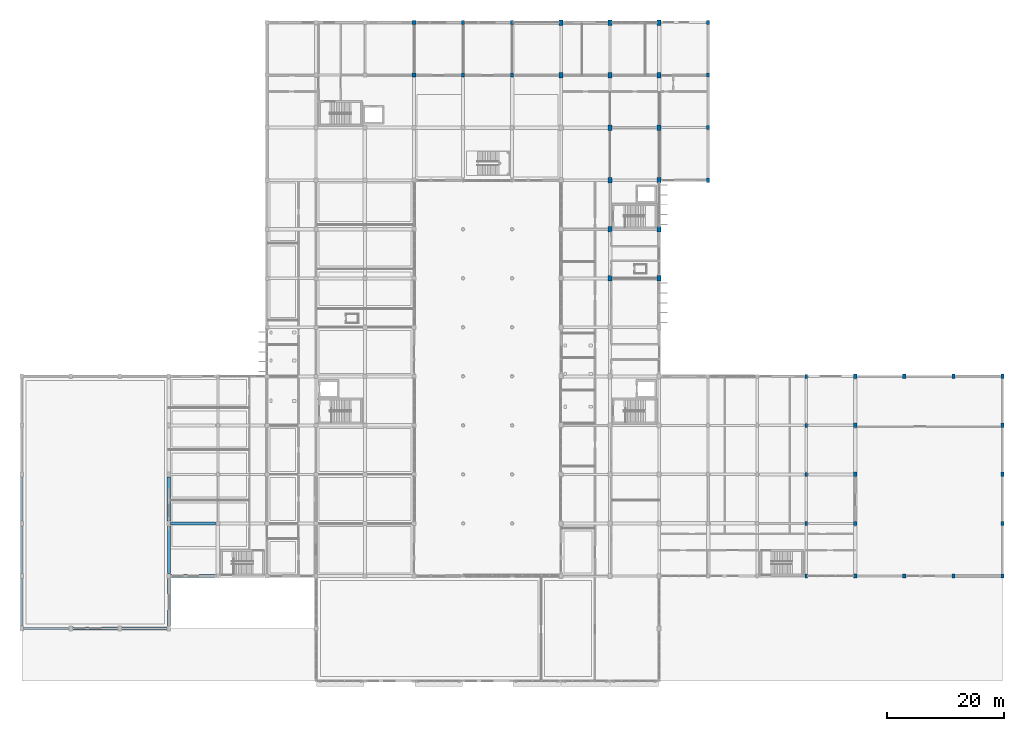
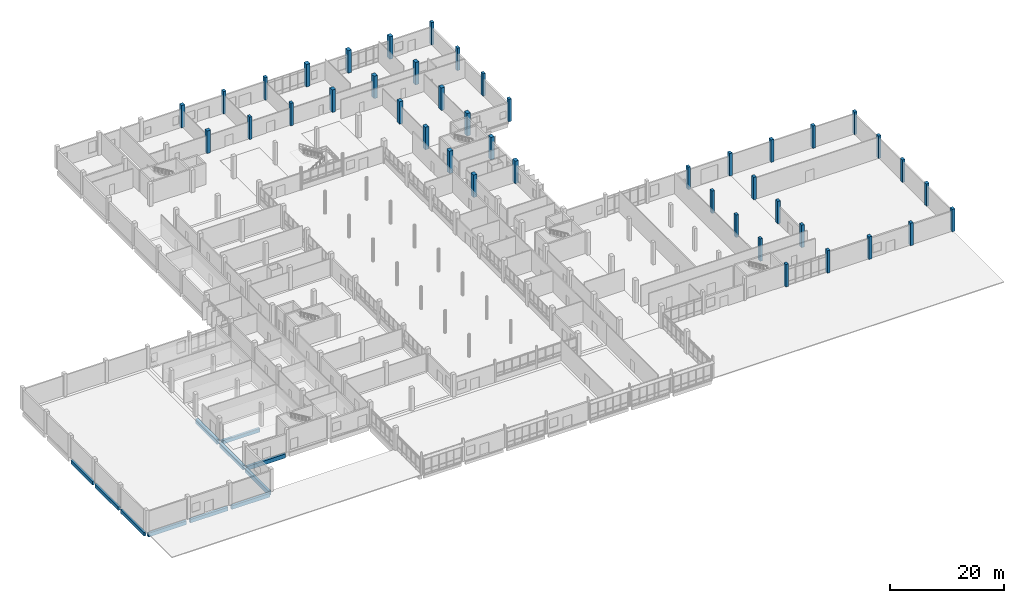
# One storey, part 9 of 95: 43 columns, 11 beams.
"""IFC4 building model written with IfcOpenShell, lengths in metres."""

from ifc_helpers import new_model, si_unit, direction, frame, origin, origin_2d, place, context, subcontext, project, spatial, rectangle, extrude, material, material_profile, profile_set, type_object, element, save


model = new_model("IFC4")

# Units and contexts
model_context = context("Model", 3, precision=1e-05, world=origin(), true_north=direction((0.0, 1.0)))
body_context = subcontext(model_context, "Body", "Model", "MODEL_VIEW")
ifc_project = project(units=[si_unit("LENGTHUNIT", "METRE"), si_unit("AREAUNIT", "SQUARE_METRE"), si_unit("VOLUMEUNIT", "CUBIC_METRE"), si_unit("PLANEANGLEUNIT", "RADIAN"), si_unit("MASSUNIT", "GRAM", prefix="KILO")], contexts=[model_context])

# Site, building, storey
site_placement = place(None, origin())
site = spatial("IfcSite", under=ifc_project, at=site_placement, CompositionType="ELEMENT")
building_placement = place(site_placement, origin())
building = spatial("IfcBuilding", under=site, at=building_placement, Name="Vireocrest Preparatory School", CompositionType="ELEMENT")
storey_placement = place(building_placement, origin())
storey = spatial("IfcBuildingStorey", under=building, at=storey_placement, Name="L00", CompositionType="ELEMENT", Elevation=0.0)

# Columns
ifc_material_1 = material(Name="Concrete 45 MPa", Category="concrete")
ifc_material_profile_1 = material_profile(ifc_material_1, rectangle(XDim=0.699951171875, YDim=0.699951171875, at=origin_2d()), Name="RC 700x700")
ifc_profile_set_1 = profile_set([ifc_material_profile_1], Name="Concrete 45 MPa")
column_type_1 = type_object("IfcColumnType", Name="RC Column 700x700", PredefinedType="COLUMN", material=ifc_profile_set_1)
for number, where, z_axis, x_axis, name in (
    (1, (67.199951171875, 103.800048828125, 0.0), (0.0, 0.0, 1.0), (1.0, 0.0, 0.0), "Column C07 L00 9/N"),
    (2, (67.199951171875, 112.800048828125, 0.0), (0.0, 0.0, 1.0), (1.0, 0.0, 0.0), "Column C07 L00 9/P"),
):
    element("IfcColumn", number, at=place(storey_placement, frame(where, z_axis=z_axis, x_axis=x_axis)), inside=storey, type_object=column_type_1, Name=name, PredefinedType="COLUMN", context=body_context, shape_type="SweptSolid", body=[
        extrude(rectangle(XDim=0.699951171875, YDim=0.699951171875, at=origin_2d()), origin(), (0.0, 0.0, 1.0), 4.800048828125),
    ])
ifc_material_profile_2 = material_profile(ifc_material_1, rectangle(XDim=0.5, YDim=0.699951171875, at=origin_2d()), Name="RC 500x700")
ifc_profile_set_2 = profile_set([ifc_material_profile_2], Name="Concrete 45 MPa")
column_type_2 = type_object("IfcColumnType", Name="RC Hall Column 500x700", PredefinedType="COLUMN", material=ifc_profile_set_2)
for number, where, z_axis, x_axis, name in (
    (3, (75.60009765625, 103.800048828125, 0.0), (0.0, 0.0, 1.0), (1.0, 0.0, 0.0), "Column C12 L00 10/N"),
    (4, (75.60009765625, 112.800048828125, 0.0), (0.0, 0.0, 1.0), (1.0, 0.0, 0.0), "Column C12 L00 10/P"),
    (5, (84.0, 103.800048828125, 0.0), (0.0, 0.0, 1.0), (1.0, 0.0, 0.0), "Column C12 L00 11/N"),
    (6, (84.0, 112.800048828125, 0.0), (0.0, 0.0, 1.0), (1.0, 0.0, 0.0), "Column C12 L00 11/P"),
    (7, (117.60009765625, 85.800048828125, 0.0), (0.0, 0.0, 1.0), (1.0, 0.0, 0.0), "Column C12 L00 15/L"),
    (8, (117.60009765625, 94.800048828125, 0.0), (0.0, 0.0, 1.0), (1.0, 0.0, 0.0), "Column C12 L00 15/M"),
    (9, (117.60009765625, 103.800048828125, 0.0), (0.0, 0.0, 1.0), (1.0, 0.0, 0.0), "Column C12 L00 15/N"),
    (10, (117.60009765625, 112.800048828125, 0.0), (0.0, 0.0, 1.0), (1.0, 0.0, 0.0), "Column C12 L00 15/P"),
    (11, (134.39990234375, 18.0, 0.0), (0.0, 0.0, 1.0), (1.0, 0.0, 0.0), "Column C12 L00 17/C"),
    (12, (134.39990234375, 27.0, 0.0), (0.0, 0.0, 1.0), (1.0, 0.0, 0.0), "Column C12 L00 17/D"),
    (13, (134.39990234375, 35.39990234375, 0.0), (0.0, 0.0, 1.0), (1.0, 0.0, 0.0), "Column C12 L00 17/E"),
    (14, (134.39990234375, 43.800048828125, 0.0), (0.0, 0.0, 1.0), (1.0, 0.0, 0.0), "Column C12 L00 17/F"),
    (15, (134.39990234375, 52.199951171875, 0.0), (0.0, 0.0, 1.0), (1.0, 0.0, 0.0), "Column C12 L00 17/G"),
):
    element("IfcColumn", number, at=place(storey_placement, frame(where, z_axis=z_axis, x_axis=x_axis)), inside=storey, type_object=column_type_2, Name=name, PredefinedType="COLUMN", context=body_context, shape_type="SweptSolid", body=[
        extrude(rectangle(XDim=0.5, YDim=0.699951171875, at=origin_2d()), origin(), (0.0, 0.0, 1.0), 4.800048828125),
    ])
ifc_material_profile_3 = material_profile(ifc_material_1, rectangle(XDim=0.699951171875, YDim=0.89990234375, at=origin_2d()), Name="RC 700x900")
ifc_profile_set_3 = profile_set([ifc_material_profile_3], Name="Concrete 45 MPa")
column_type_3 = type_object("IfcColumnType", Name="RC Transfer Column 700x900", PredefinedType="COLUMN", material=ifc_profile_set_3)
for number, where, z_axis, x_axis, name in (
    (16, (92.39990234375, 103.800048828125, 0.0), (0.0, 0.0, 1.0), (1.0, 0.0, 0.0), "Column C16 L00 12/N"),
    (17, (92.39990234375, 112.800048828125, 0.0), (0.0, 0.0, 1.0), (1.0, 0.0, 0.0), "Column C16 L00 12/P"),
    (18, (100.800048828125, 69.0, 0.0), (0.0, 0.0, 1.0), (1.0, 0.0, 0.0), "Column C16 L00 13/J"),
    (19, (100.800048828125, 77.39990234375, 0.0), (0.0, 0.0, 1.0), (1.0, 0.0, 0.0), "Column C16 L00 13/K"),
    (20, (100.800048828125, 85.800048828125, 0.0), (0.0, 0.0, 1.0), (1.0, 0.0, 0.0), "Column C16 L00 13/L"),
    (21, (100.800048828125, 94.800048828125, 0.0), (0.0, 0.0, 1.0), (1.0, 0.0, 0.0), "Column C16 L00 13/M"),
    (22, (100.800048828125, 103.800048828125, 0.0), (0.0, 0.0, 1.0), (1.0, 0.0, 0.0), "Column C16 L00 13/N"),
    (23, (100.800048828125, 112.800048828125, 0.0), (0.0, 0.0, 1.0), (1.0, 0.0, 0.0), "Column C16 L00 13/P"),
    (24, (109.199951171875, 69.0, 0.0), (0.0, 0.0, 1.0), (1.0, 0.0, 0.0), "Column C16 L00 14/J"),
    (25, (109.199951171875, 77.39990234375, 0.0), (0.0, 0.0, 1.0), (1.0, 0.0, 0.0), "Column C16 L00 14/K"),
    (26, (109.199951171875, 85.800048828125, 0.0), (0.0, 0.0, 1.0), (1.0, 0.0, 0.0), "Column C16 L00 14/L"),
    (27, (109.199951171875, 94.800048828125, 0.0), (0.0, 0.0, 1.0), (1.0, 0.0, 0.0), "Column C16 L00 14/M"),
    (28, (109.199951171875, 103.800048828125, 0.0), (0.0, 0.0, 1.0), (1.0, 0.0, 0.0), "Column C16 L00 14/N"),
    (29, (109.199951171875, 112.800048828125, 0.0), (0.0, 0.0, 1.0), (1.0, 0.0, 0.0), "Column C16 L00 14/P"),
):
    element("IfcColumn", number, at=place(storey_placement, frame(where, z_axis=z_axis, x_axis=x_axis)), inside=storey, type_object=column_type_3, Name=name, PredefinedType="COLUMN", context=body_context, shape_type="SweptSolid", body=[
        extrude(rectangle(XDim=0.699951171875, YDim=0.89990234375, at=origin_2d()), origin(), (0.0, 0.0, 1.0), 4.800048828125),
    ])
ifc_material_profile_4 = material_profile(ifc_material_1, rectangle(XDim=0.550048828125, YDim=0.75, at=origin_2d()), Name="RC 550x750")
ifc_profile_set_4 = profile_set([ifc_material_profile_4], Name="Concrete 45 MPa")
column_type_4 = type_object("IfcColumnType", Name="RC Vault Pier 550x750", PredefinedType="COLUMN", material=ifc_profile_set_4)
for number, where, z_axis, x_axis, name in (
    (30, (142.800048828125, 18.0, 0.0), (0.0, 0.0, 1.0), (1.0, 0.0, 0.0), "Column C13 L00 18/C"),
    (31, (142.800048828125, 27.0, 0.0), (0.0, 0.0, 1.0), (1.0, 0.0, 0.0), "Column C13 L00 18/D"),
    (32, (142.800048828125, 35.39990234375, 0.0), (0.0, 0.0, 1.0), (1.0, 0.0, 0.0), "Column C13 L00 18/E"),
    (33, (142.800048828125, 43.800048828125, 0.0), (0.0, 0.0, 1.0), (1.0, 0.0, 0.0), "Column C13 L00 18/F"),
    (34, (142.800048828125, 52.199951171875, 0.0), (0.0, 0.0, 1.0), (1.0, 0.0, 0.0), "Column C13 L00 18/G"),
    (35, (151.199951171875, 18.0, 0.0), (0.0, 0.0, 1.0), (1.0, 0.0, 0.0), "Column C13 L00 19/C"),
    (36, (151.199951171875, 52.199951171875, 0.0), (0.0, 0.0, 1.0), (1.0, 0.0, 0.0), "Column C13 L00 19/G"),
    (37, (159.60009765625, 18.0, 0.0), (0.0, 0.0, 1.0), (1.0, 0.0, 0.0), "Column C13 L00 20/C"),
    (38, (159.60009765625, 52.199951171875, 0.0), (0.0, 0.0, 1.0), (1.0, 0.0, 0.0), "Column C13 L00 20/G"),
    (39, (168.0, 18.0, 0.0), (0.0, 0.0, 1.0), (1.0, 0.0, 0.0), "Column C13 L00 21/C"),
    (40, (168.0, 27.0, 0.0), (0.0, 0.0, 1.0), (1.0, 0.0, 0.0), "Column C13 L00 21/D"),
    (41, (168.0, 35.39990234375, 0.0), (0.0, 0.0, 1.0), (1.0, 0.0, 0.0), "Column C13 L00 21/E"),
    (42, (168.0, 43.800048828125, 0.0), (0.0, 0.0, 1.0), (1.0, 0.0, 0.0), "Column C13 L00 21/F"),
    (43, (168.0, 52.199951171875, 0.0), (0.0, 0.0, 1.0), (1.0, 0.0, 0.0), "Column C13 L00 21/G"),
):
    element("IfcColumn", number, at=place(storey_placement, frame(where, z_axis=z_axis, x_axis=x_axis)), inside=storey, type_object=column_type_4, Name=name, PredefinedType="COLUMN", context=body_context, shape_type="SweptSolid", body=[
        extrude(rectangle(XDim=0.550048828125, YDim=0.75, at=origin_2d()), origin(), (0.0, 0.0, 1.0), 4.800048828125),
    ])

# Beams
ifc_material_2 = material(Name="Concrete 40 MPa", Category="concrete")
ifc_material_profile_5 = material_profile(ifc_material_2, rectangle(XDim=0.5, YDim=0.949951171875, at=origin_2d()), Name="RC 500x950")
ifc_profile_set_5 = profile_set([ifc_material_profile_5], Name="Concrete 40 MPa")
beam_type_1 = type_object("IfcBeamType", Name="RC Basement Ceiling Girder 500x950", PredefinedType="BEAM", material=ifc_profile_set_5)
beam_1_placement = place(storey_placement, frame((25.199951171875, 18.425048828125, -0.85498046875), z_axis=(0.0, 1.0, 0.0), x_axis=(-1.0, 0.0, 0.0)))
element("IfcBeam", 44, at=beam_1_placement, inside=storey, type_object=beam_type_1, Name="Primary Girder B16 L00-0135", PredefinedType="BEAM", context=body_context, shape_type="SweptSolid", body=[
    extrude(rectangle(XDim=0.5, YDim=0.949951171875, at=origin_2d()), origin(), (0.0, 0.0, 1.0), 8.14990234375),
])
ifc_material_profile_6 = material_profile(ifc_material_2, rectangle(XDim=0.449951171875, YDim=0.85009765625, at=origin_2d()), Name="RC 450x850")
ifc_profile_set_6 = profile_set([ifc_material_profile_6], Name="Concrete 40 MPa")
beam_type_2 = type_object("IfcBeamType", Name="RC Heavy Floor Girder 450x850", PredefinedType="BEAM", material=ifc_profile_set_6)
beam_2_placement = place(storey_placement, frame((25.52490234375, 18.0, -0.77490234375), z_axis=(1.0, 0.0, 0.0), x_axis=(0.0, 1.0, 0.0)))
element("IfcBeam", 45, at=beam_2_placement, inside=storey, type_object=beam_type_2, Name="Primary Girder B13 L00-0011", PredefinedType="BEAM", context=body_context, shape_type="SweptSolid", body=[
    extrude(rectangle(XDim=0.449951171875, YDim=0.85009765625, at=origin_2d()), origin(), (0.0, 0.0, 1.0), 7.7001953125),
])
ifc_material_profile_7 = material_profile(ifc_material_2, rectangle(XDim=0.39990234375, YDim=0.800048828125, at=origin_2d()), Name="RC 400x800")
ifc_profile_set_7 = profile_set([ifc_material_profile_7], Name="Concrete 40 MPa")
beam_type_3 = type_object("IfcBeamType", Name="RC Library Reading Girder 400x800", PredefinedType="BEAM", material=ifc_profile_set_7)
beam_3_placement = place(storey_placement, frame((0.324951171875, 9.0, -0.780029296875), z_axis=(1.0, 0.0, 0.0), x_axis=(0.0, 1.0, 0.0)))
element("IfcBeam", 46, at=beam_3_placement, inside=storey, type_object=beam_type_3, Name="Primary Girder B10 L00-0008", PredefinedType="BEAM", context=body_context, shape_type="SweptSolid", body=[
    extrude(rectangle(XDim=0.39990234375, YDim=0.800048828125, at=origin_2d()), origin(), (0.0, 0.0, 1.0), 7.699951171875),
])
beam_4_placement = place(storey_placement, frame((0.0, 9.425048828125, -0.780029296875), z_axis=(0.0, 1.0, 0.0), x_axis=(-1.0, 0.0, 0.0)))
element("IfcBeam", 47, at=beam_4_placement, inside=storey, type_object=beam_type_3, Name="Primary Girder B10 L00-0129", PredefinedType="BEAM", context=body_context, shape_type="SweptSolid", body=[
    extrude(rectangle(XDim=0.39990234375, YDim=0.800048828125, at=origin_2d()), origin(), (0.0, 0.0, 1.0), 8.14990234375),
])
ifc_material_profile_8 = material_profile(ifc_material_2, rectangle(XDim=0.449951171875, YDim=0.75, at=origin_2d()), Name="RC 450x750")
ifc_profile_set_8 = profile_set([ifc_material_profile_8], Name="Concrete 40 MPa")
beam_type_4 = type_object("IfcBeamType", Name="RC Library Stack Girder 450x750", PredefinedType="BEAM", material=ifc_profile_set_8)
beam_5_placement = place(storey_placement, frame((8.77490234375, 9.0, -0.7548828125), z_axis=(1.0, 0.0, 0.0), x_axis=(0.0, 1.0, 0.0)))
element("IfcBeam", 48, at=beam_5_placement, inside=storey, type_object=beam_type_4, Name="Primary Girder B11 L00-0009", PredefinedType="BEAM", context=body_context, shape_type="SweptSolid", body=[
    extrude(rectangle(XDim=0.449951171875, YDim=0.75, at=origin_2d()), origin(), (0.0, 0.0, 1.0), 7.650146484375),
])
beam_6_placement = place(storey_placement, frame((0.0, 18.425048828125, -0.7548828125), z_axis=(0.0, 1.0, 0.0), x_axis=(-1.0, 0.0, 0.0)))
element("IfcBeam", 49, at=beam_6_placement, inside=storey, type_object=beam_type_4, Name="Primary Girder B11 L00-0130", PredefinedType="BEAM", context=body_context, shape_type="SweptSolid", body=[
    extrude(rectangle(XDim=0.449951171875, YDim=0.75, at=origin_2d()), origin(), (0.0, 0.0, 1.0), 8.14990234375),
])
ifc_material_profile_9 = material_profile(ifc_material_2, rectangle(XDim=0.449951171875, YDim=0.800048828125, at=origin_2d()), Name="RC 450x800")
ifc_profile_set_9 = profile_set([ifc_material_profile_9], Name="Concrete 40 MPa")
beam_type_5 = type_object("IfcBeamType", Name="RC Library Stack Girder 450x800", PredefinedType="BEAM", material=ifc_profile_set_9)
beam_7_placement = place(storey_placement, frame((17.175048828125, 9.0, -0.780029296875), z_axis=(1.0, 0.0, 0.0), x_axis=(0.0, 1.0, 0.0)))
element("IfcBeam", 50, at=beam_7_placement, inside=storey, type_object=beam_type_5, Name="Primary Girder B12 L00-0010", PredefinedType="BEAM", context=body_context, shape_type="SweptSolid", body=[
    extrude(rectangle(XDim=0.449951171875, YDim=0.800048828125, at=origin_2d()), origin(), (0.0, 0.0, 1.0), 7.699951171875),
])
beam_8_placement = place(storey_placement, frame((25.52490234375, 27.0, -0.75), z_axis=(1.0, 0.0, 0.0), x_axis=(0.0, 1.0, 0.0)))
element("IfcBeam", 51, at=beam_8_placement, inside=storey, type_object=beam_type_5, Name="Primary Girder B12 L00-0028", PredefinedType="BEAM", context=body_context, shape_type="SweptSolid", body=[
    extrude(rectangle(XDim=0.449951171875, YDim=0.800048828125, at=origin_2d()), origin(), (0.0, 0.0, 1.0), 7.7001953125),
])
beam_9_placement = place(storey_placement, frame((0.0, 27.425048828125, -0.780029296875), z_axis=(0.0, 1.0, 0.0), x_axis=(-1.0, 0.0, 0.0)))
element("IfcBeam", 52, at=beam_9_placement, inside=storey, type_object=beam_type_5, Name="Primary Girder B12 L00-0131", PredefinedType="BEAM", context=body_context, shape_type="SweptSolid", body=[
    extrude(rectangle(XDim=0.449951171875, YDim=0.800048828125, at=origin_2d()), origin(), (0.0, 0.0, 1.0), 7.550048828125),
])
ifc_material_profile_10 = material_profile(ifc_material_2, rectangle(XDim=0.5, YDim=0.89990234375, at=origin_2d()), Name="RC 500x900")
ifc_profile_set_10 = profile_set([ifc_material_profile_10], Name="Concrete 40 MPa")
beam_type_6 = type_object("IfcBeamType", Name="RC Podium Girder 500x900", PredefinedType="BEAM", material=ifc_profile_set_10)
beam_10_placement = place(storey_placement, frame((25.199951171875, 9.425048828125, -0.830078125), z_axis=(0.0, 1.0, 0.0), x_axis=(-1.0, 0.0, 0.0)))
element("IfcBeam", 53, at=beam_10_placement, inside=storey, type_object=beam_type_6, Name="Primary Girder B15 L00-0134", PredefinedType="BEAM", context=body_context, shape_type="SweptSolid", body=[
    extrude(rectangle(XDim=0.5, YDim=0.89990234375, at=origin_2d()), origin(), (0.0, 0.0, 1.0), 8.14990234375),
])
ifc_material_profile_11 = material_profile(ifc_material_2, rectangle(XDim=0.550048828125, YDim=0.949951171875, at=origin_2d()), Name="RC 550x950")
ifc_profile_set_11 = profile_set([ifc_material_profile_11], Name="Concrete 40 MPa")
beam_type_7 = type_object("IfcBeamType", Name="RC Setback Edge Girder 550x950", PredefinedType="BEAM", material=ifc_profile_set_11)
beam_11_placement = place(storey_placement, frame((25.199951171875, 27.425048828125, -0.85498046875), z_axis=(0.0, 1.0, 0.0), x_axis=(-1.0, 0.0, 0.0)))
element("IfcBeam", 54, at=beam_11_placement, inside=storey, type_object=beam_type_7, Name="Primary Girder B17 L00-0136", PredefinedType="BEAM", context=body_context, shape_type="SweptSolid", body=[
    extrude(rectangle(XDim=0.550048828125, YDim=0.949951171875, at=origin_2d()), origin(), (0.0, 0.0, 1.0), 7.550048828125),
])

save(model, "model.ifc")
